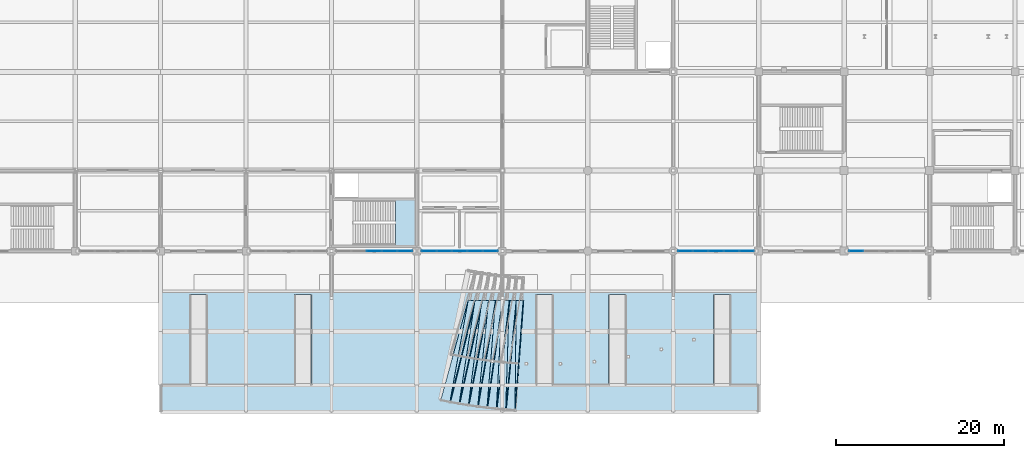
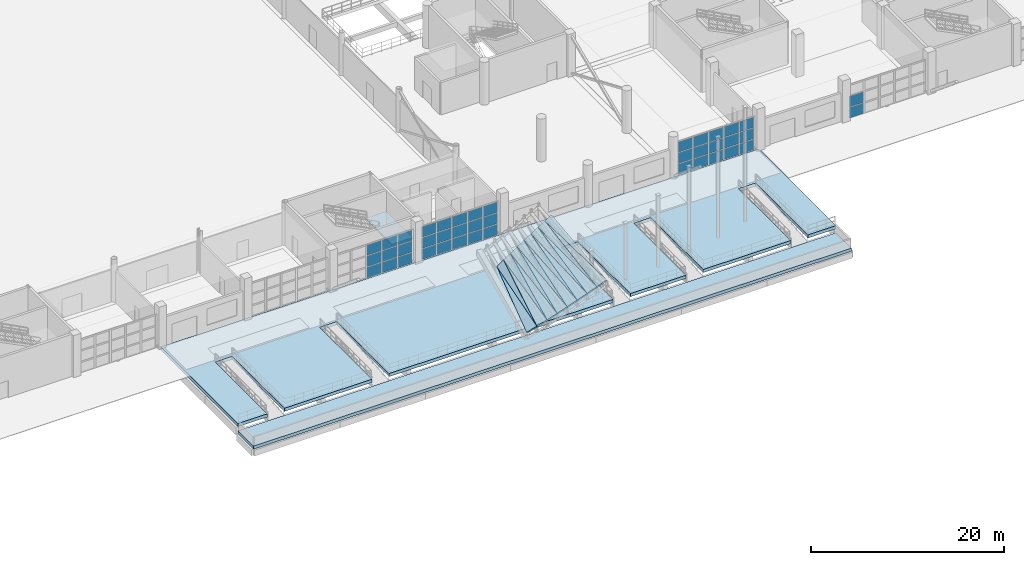
# One storey, part 77 of 124: 41 plates, 19 slabs, 5 elements without a shape of their own.
"""IFC4 building model written with IfcOpenShell, lengths in metres."""

from ifc_helpers import new_model, si_unit, direction, frame, origin, origin_2d, place, context, subcontext, project, spatial, polyline, rectangle, outline, extrude, material, layer, layer_set, type_object, element, aggregate, save


model = new_model("IFC4")

# Units and contexts
model_context = context("Model", 3, precision=1e-05, world=origin(), true_north=direction((0.0, 1.0)))
body_context = subcontext(model_context, "Body", "Model", "MODEL_VIEW")
ifc_project = project(units=[si_unit("LENGTHUNIT", "METRE"), si_unit("AREAUNIT", "SQUARE_METRE"), si_unit("VOLUMEUNIT", "CUBIC_METRE"), si_unit("PLANEANGLEUNIT", "RADIAN"), si_unit("MASSUNIT", "GRAM", prefix="KILO")], contexts=[model_context])

# Site, building, storey
site_placement = place(None, origin())
site = spatial("IfcSite", under=ifc_project, at=site_placement, CompositionType="ELEMENT")
building_placement = place(site_placement, origin())
building = spatial("IfcBuilding", under=site, at=building_placement, Name="Brelvane Convention Centre", CompositionType="ELEMENT")
storey_placement = place(building_placement, origin())
storey = spatial("IfcBuildingStorey", under=building, at=storey_placement, Name="L00", CompositionType="ELEMENT", Elevation=0.0)

# Curtain wall, plates
ifc_material_1 = material(Name="Anodised Aluminium Alloy 6063-T6", Category="aluminium")
curtain_wall_type = type_object("IfcCurtainWallType", Name="Curtain Wall CW-CONC", PredefinedType="USERDEFINED", material=ifc_material_1)
curtain_wall_1_placement = place(storey_placement, origin())
curtain_wall_1 = element("IfcCurtainWall", 1, at=curtain_wall_1_placement, inside=storey, type_object=curtain_wall_type, Name="Curtain Wall CW-CONC L00-V1S-13", ObjectType="UNITISED", PredefinedType="USERDEFINED")
ifc_material_2 = material(Name="Double Glazed Low-E Laminated Unit")
ifc_layer_1 = layer(ifc_material_2, 0.031982421875)
ifc_layer_set_1 = layer_set([ifc_layer_1], Name="Double Glazed Low-E Laminated Unit")
plate_type = type_object("IfcPlateType", Name="Curtain Panel CW-PG1", PredefinedType="CURTAIN_PANEL", material=ifc_layer_set_1)
plate_1_placement = place(storey_placement, frame((127.5, 19.199951171875, 0.080078125), z_axis=(0.0, 0.0, 1.0), x_axis=(1.0, 0.0, 0.0)))
plate_1 = element("IfcPlate", 2, at=plate_1_placement, type_object=plate_type, Name="CW-CONC panel 3.1", PredefinedType="CURTAIN_PANEL", context=body_context, shape_type="SweptSolid", body=[
    extrude(rectangle(XDim=1.760009765625, YDim=0.031982421875, at=origin_2d()), origin(), (0.0, 0.0, 1.0), 1.313232421875),
])
plate_2_placement = place(storey_placement, frame((127.5, 19.199951171875, 1.47314453125), z_axis=(0.0, 0.0, 1.0), x_axis=(1.0, 0.0, 0.0)))
plate_2 = element("IfcPlate", 3, at=plate_2_placement, type_object=plate_type, Name="CW-CONC panel 3.2", PredefinedType="CURTAIN_PANEL", context=body_context, shape_type="SweptSolid", body=[
    extrude(rectangle(XDim=1.760009765625, YDim=0.031982421875, at=origin_2d()), origin(), (0.0, 0.0, 1.0), 1.353515625),
])
plate_3_placement = place(storey_placement, frame((127.5, 19.199951171875, 2.90673828125), z_axis=(0.0, 0.0, 1.0), x_axis=(1.0, 0.0, 0.0)))
plate_3 = element("IfcPlate", 4, at=plate_3_placement, type_object=plate_type, Name="CW-CONC panel 3.3", PredefinedType="CURTAIN_PANEL", context=body_context, shape_type="SweptSolid", body=[
    extrude(rectangle(XDim=1.760009765625, YDim=0.031982421875, at=origin_2d()), origin(), (0.0, 0.0, 1.0), 1.313232421875),
])
plate_4_placement = place(storey_placement, frame((129.340087890625, 19.199951171875, 0.080078125), z_axis=(0.0, 0.0, 1.0), x_axis=(1.0, 0.0, 0.0)))
plate_4 = element("IfcPlate", 5, at=plate_4_placement, type_object=plate_type, Name="CW-CONC panel 4.1", PredefinedType="CURTAIN_PANEL", context=body_context, shape_type="SweptSolid", body=[
    extrude(rectangle(XDim=1.760009765625, YDim=0.031982421875, at=origin_2d()), origin(), (0.0, 0.0, 1.0), 1.313232421875),
])
plate_5_placement = place(storey_placement, frame((129.340087890625, 19.199951171875, 1.47314453125), z_axis=(0.0, 0.0, 1.0), x_axis=(1.0, 0.0, 0.0)))
plate_5 = element("IfcPlate", 6, at=plate_5_placement, type_object=plate_type, Name="CW-CONC panel 4.2", PredefinedType="CURTAIN_PANEL", context=body_context, shape_type="SweptSolid", body=[
    extrude(rectangle(XDim=1.760009765625, YDim=0.031982421875, at=origin_2d()), origin(), (0.0, 0.0, 1.0), 1.353515625),
])
plate_6_placement = place(storey_placement, frame((129.340087890625, 19.199951171875, 2.90673828125), z_axis=(0.0, 0.0, 1.0), x_axis=(1.0, 0.0, 0.0)))
plate_6 = element("IfcPlate", 7, at=plate_6_placement, type_object=plate_type, Name="CW-CONC panel 4.3", PredefinedType="CURTAIN_PANEL", context=body_context, shape_type="SweptSolid", body=[
    extrude(rectangle(XDim=1.760009765625, YDim=0.031982421875, at=origin_2d()), origin(), (0.0, 0.0, 1.0), 1.313232421875),
])
plate_7_placement = place(storey_placement, frame((131.159912109375, 19.199951171875, 0.080078125), z_axis=(0.0, 0.0, 1.0), x_axis=(1.0, 0.0, 0.0)))
plate_7 = element("IfcPlate", 8, at=plate_7_placement, type_object=plate_type, Name="CW-CONC panel 5.1", PredefinedType="CURTAIN_PANEL", context=body_context, shape_type="SweptSolid", body=[
    extrude(rectangle(XDim=1.719970703125, YDim=0.031982421875, at=origin_2d()), origin(), (0.0, 0.0, 1.0), 1.313232421875),
])
plate_8_placement = place(storey_placement, frame((131.159912109375, 19.199951171875, 1.47314453125), z_axis=(0.0, 0.0, 1.0), x_axis=(1.0, 0.0, 0.0)))
plate_8 = element("IfcPlate", 9, at=plate_8_placement, type_object=plate_type, Name="CW-CONC panel 5.2", PredefinedType="CURTAIN_PANEL", context=body_context, shape_type="SweptSolid", body=[
    extrude(rectangle(XDim=1.719970703125, YDim=0.031982421875, at=origin_2d()), origin(), (0.0, 0.0, 1.0), 1.353515625),
])
plate_9_placement = place(storey_placement, frame((131.159912109375, 19.199951171875, 2.90673828125), z_axis=(0.0, 0.0, 1.0), x_axis=(1.0, 0.0, 0.0)))
plate_9 = element("IfcPlate", 10, at=plate_9_placement, type_object=plate_type, Name="CW-CONC panel 5.3", PredefinedType="CURTAIN_PANEL", context=body_context, shape_type="SweptSolid", body=[
    extrude(rectangle(XDim=1.719970703125, YDim=0.031982421875, at=origin_2d()), origin(), (0.0, 0.0, 1.0), 1.313232421875),
])
aggregate(curtain_wall_1, [plate_1, plate_2, plate_3, plate_4, plate_5, plate_6, plate_7, plate_8, plate_9])

curtain_wall_2_placement = place(storey_placement, origin())
curtain_wall_2 = element("IfcCurtainWall", 11, at=curtain_wall_2_placement, inside=storey, type_object=curtain_wall_type, Name="Curtain Wall CW-CONC L00-V1S-14", ObjectType="UNITISED", PredefinedType="USERDEFINED")
plate_10_placement = place(storey_placement, frame((134.0400390625, 19.199951171875, 0.080078125), z_axis=(0.0, 0.0, 1.0), x_axis=(1.0, 0.0, 0.0)))
plate_10 = element("IfcPlate", 12, at=plate_10_placement, type_object=plate_type, Name="CW-CONC panel 1.1", PredefinedType="CURTAIN_PANEL", context=body_context, shape_type="SweptSolid", body=[
    extrude(rectangle(XDim=1.719970703125, YDim=0.031982421875, at=origin_2d()), origin(), (0.0, 0.0, 1.0), 1.313232421875),
])
plate_11_placement = place(storey_placement, frame((134.0400390625, 19.199951171875, 1.47314453125), z_axis=(0.0, 0.0, 1.0), x_axis=(1.0, 0.0, 0.0)))
plate_11 = element("IfcPlate", 13, at=plate_11_placement, type_object=plate_type, Name="CW-CONC panel 1.2", PredefinedType="CURTAIN_PANEL", context=body_context, shape_type="SweptSolid", body=[
    extrude(rectangle(XDim=1.719970703125, YDim=0.031982421875, at=origin_2d()), origin(), (0.0, 0.0, 1.0), 1.353515625),
])
plate_12_placement = place(storey_placement, frame((134.0400390625, 19.199951171875, 2.90673828125), z_axis=(0.0, 0.0, 1.0), x_axis=(1.0, 0.0, 0.0)))
plate_12 = element("IfcPlate", 14, at=plate_12_placement, type_object=plate_type, Name="CW-CONC panel 1.3", PredefinedType="CURTAIN_PANEL", context=body_context, shape_type="SweptSolid", body=[
    extrude(rectangle(XDim=1.719970703125, YDim=0.031982421875, at=origin_2d()), origin(), (0.0, 0.0, 1.0), 1.313232421875),
])
plate_13_placement = place(storey_placement, frame((135.860107421875, 19.199951171875, 0.080078125), z_axis=(0.0, 0.0, 1.0), x_axis=(1.0, 0.0, 0.0)))
plate_13 = element("IfcPlate", 15, at=plate_13_placement, type_object=plate_type, Name="CW-CONC panel 2.1", PredefinedType="CURTAIN_PANEL", context=body_context, shape_type="SweptSolid", body=[
    extrude(rectangle(XDim=1.760009765625, YDim=0.031982421875, at=origin_2d()), origin(), (0.0, 0.0, 1.0), 1.313232421875),
])
plate_14_placement = place(storey_placement, frame((135.860107421875, 19.199951171875, 1.47314453125), z_axis=(0.0, 0.0, 1.0), x_axis=(1.0, 0.0, 0.0)))
plate_14 = element("IfcPlate", 16, at=plate_14_placement, type_object=plate_type, Name="CW-CONC panel 2.2", PredefinedType="CURTAIN_PANEL", context=body_context, shape_type="SweptSolid", body=[
    extrude(rectangle(XDim=1.760009765625, YDim=0.031982421875, at=origin_2d()), origin(), (0.0, 0.0, 1.0), 1.353515625),
])
plate_15_placement = place(storey_placement, frame((135.860107421875, 19.199951171875, 2.90673828125), z_axis=(0.0, 0.0, 1.0), x_axis=(1.0, 0.0, 0.0)))
plate_15 = element("IfcPlate", 17, at=plate_15_placement, type_object=plate_type, Name="CW-CONC panel 2.3", PredefinedType="CURTAIN_PANEL", context=body_context, shape_type="SweptSolid", body=[
    extrude(rectangle(XDim=1.760009765625, YDim=0.031982421875, at=origin_2d()), origin(), (0.0, 0.0, 1.0), 1.313232421875),
])
plate_16_placement = place(storey_placement, frame((137.699951171875, 19.199951171875, 0.080078125), z_axis=(0.0, 0.0, 1.0), x_axis=(1.0, 0.0, 0.0)))
plate_16 = element("IfcPlate", 18, at=plate_16_placement, type_object=plate_type, Name="CW-CONC panel 3.1", PredefinedType="CURTAIN_PANEL", context=body_context, shape_type="SweptSolid", body=[
    extrude(rectangle(XDim=1.760009765625, YDim=0.031982421875, at=origin_2d()), origin(), (0.0, 0.0, 1.0), 1.313232421875),
])
plate_17_placement = place(storey_placement, frame((137.699951171875, 19.199951171875, 1.47314453125), z_axis=(0.0, 0.0, 1.0), x_axis=(1.0, 0.0, 0.0)))
plate_17 = element("IfcPlate", 19, at=plate_17_placement, type_object=plate_type, Name="CW-CONC panel 3.2", PredefinedType="CURTAIN_PANEL", context=body_context, shape_type="SweptSolid", body=[
    extrude(rectangle(XDim=1.760009765625, YDim=0.031982421875, at=origin_2d()), origin(), (0.0, 0.0, 1.0), 1.353515625),
])
plate_18_placement = place(storey_placement, frame((137.699951171875, 19.199951171875, 2.90673828125), z_axis=(0.0, 0.0, 1.0), x_axis=(1.0, 0.0, 0.0)))
plate_18 = element("IfcPlate", 20, at=plate_18_placement, type_object=plate_type, Name="CW-CONC panel 3.3", PredefinedType="CURTAIN_PANEL", context=body_context, shape_type="SweptSolid", body=[
    extrude(rectangle(XDim=1.760009765625, YDim=0.031982421875, at=origin_2d()), origin(), (0.0, 0.0, 1.0), 1.313232421875),
])
plate_19_placement = place(storey_placement, frame((139.5400390625, 19.199951171875, 0.080078125), z_axis=(0.0, 0.0, 1.0), x_axis=(1.0, 0.0, 0.0)))
plate_19 = element("IfcPlate", 21, at=plate_19_placement, type_object=plate_type, Name="CW-CONC panel 4.1", PredefinedType="CURTAIN_PANEL", context=body_context, shape_type="SweptSolid", body=[
    extrude(rectangle(XDim=1.760009765625, YDim=0.031982421875, at=origin_2d()), origin(), (0.0, 0.0, 1.0), 1.313232421875),
])
plate_20_placement = place(storey_placement, frame((139.5400390625, 19.199951171875, 1.47314453125), z_axis=(0.0, 0.0, 1.0), x_axis=(1.0, 0.0, 0.0)))
plate_20 = element("IfcPlate", 22, at=plate_20_placement, type_object=plate_type, Name="CW-CONC panel 4.2", PredefinedType="CURTAIN_PANEL", context=body_context, shape_type="SweptSolid", body=[
    extrude(rectangle(XDim=1.760009765625, YDim=0.031982421875, at=origin_2d()), origin(), (0.0, 0.0, 1.0), 1.353515625),
])
plate_21_placement = place(storey_placement, frame((139.5400390625, 19.199951171875, 2.90673828125), z_axis=(0.0, 0.0, 1.0), x_axis=(1.0, 0.0, 0.0)))
plate_21 = element("IfcPlate", 23, at=plate_21_placement, type_object=plate_type, Name="CW-CONC panel 4.3", PredefinedType="CURTAIN_PANEL", context=body_context, shape_type="SweptSolid", body=[
    extrude(rectangle(XDim=1.760009765625, YDim=0.031982421875, at=origin_2d()), origin(), (0.0, 0.0, 1.0), 1.313232421875),
])
plate_22_placement = place(storey_placement, frame((141.360107421875, 19.199951171875, 0.080078125), z_axis=(0.0, 0.0, 1.0), x_axis=(1.0, 0.0, 0.0)))
plate_22 = element("IfcPlate", 24, at=plate_22_placement, type_object=plate_type, Name="CW-CONC panel 5.1", PredefinedType="CURTAIN_PANEL", context=body_context, shape_type="SweptSolid", body=[
    extrude(rectangle(XDim=1.719970703125, YDim=0.031982421875, at=origin_2d()), origin(), (0.0, 0.0, 1.0), 1.313232421875),
])
plate_23_placement = place(storey_placement, frame((141.360107421875, 19.199951171875, 1.47314453125), z_axis=(0.0, 0.0, 1.0), x_axis=(1.0, 0.0, 0.0)))
plate_23 = element("IfcPlate", 25, at=plate_23_placement, type_object=plate_type, Name="CW-CONC panel 5.2", PredefinedType="CURTAIN_PANEL", context=body_context, shape_type="SweptSolid", body=[
    extrude(rectangle(XDim=1.719970703125, YDim=0.031982421875, at=origin_2d()), origin(), (0.0, 0.0, 1.0), 1.353515625),
])
plate_24_placement = place(storey_placement, frame((141.360107421875, 19.199951171875, 2.90673828125), z_axis=(0.0, 0.0, 1.0), x_axis=(1.0, 0.0, 0.0)))
plate_24 = element("IfcPlate", 26, at=plate_24_placement, type_object=plate_type, Name="CW-CONC panel 5.3", PredefinedType="CURTAIN_PANEL", context=body_context, shape_type="SweptSolid", body=[
    extrude(rectangle(XDim=1.719970703125, YDim=0.031982421875, at=origin_2d()), origin(), (0.0, 0.0, 1.0), 1.313232421875),
])
aggregate(curtain_wall_2, [plate_10, plate_11, plate_12, plate_13, plate_14, plate_15, plate_16, plate_17, plate_18, plate_19, plate_20, plate_21, plate_22, plate_23, plate_24])

curtain_wall_3_placement = place(storey_placement, origin())
curtain_wall_3 = element("IfcCurtainWall", 27, at=curtain_wall_3_placement, inside=storey, type_object=curtain_wall_type, Name="Curtain Wall CW-CONC L00-V1S-17", ObjectType="UNITISED", PredefinedType="USERDEFINED")
plate_25_placement = place(storey_placement, frame((164.639892578125, 19.199951171875, 0.080078125), z_axis=(0.0, 0.0, 1.0), x_axis=(1.0, 0.0, 0.0)))
plate_25 = element("IfcPlate", 28, at=plate_25_placement, type_object=plate_type, Name="CW-CONC panel 1.1", PredefinedType="CURTAIN_PANEL", context=body_context, shape_type="SweptSolid", body=[
    extrude(rectangle(XDim=1.719970703125, YDim=0.031982421875, at=origin_2d()), origin(), (0.0, 0.0, 1.0), 1.313232421875),
])
plate_26_placement = place(storey_placement, frame((164.639892578125, 19.199951171875, 1.47314453125), z_axis=(0.0, 0.0, 1.0), x_axis=(1.0, 0.0, 0.0)))
plate_26 = element("IfcPlate", 29, at=plate_26_placement, type_object=plate_type, Name="CW-CONC panel 1.2", PredefinedType="CURTAIN_PANEL", context=body_context, shape_type="SweptSolid", body=[
    extrude(rectangle(XDim=1.719970703125, YDim=0.031982421875, at=origin_2d()), origin(), (0.0, 0.0, 1.0), 1.353515625),
])
plate_27_placement = place(storey_placement, frame((164.639892578125, 19.199951171875, 2.90673828125), z_axis=(0.0, 0.0, 1.0), x_axis=(1.0, 0.0, 0.0)))
plate_27 = element("IfcPlate", 30, at=plate_27_placement, type_object=plate_type, Name="CW-CONC panel 1.3", PredefinedType="CURTAIN_PANEL", context=body_context, shape_type="SweptSolid", body=[
    extrude(rectangle(XDim=1.719970703125, YDim=0.031982421875, at=origin_2d()), origin(), (0.0, 0.0, 1.0), 1.313232421875),
])
plate_28_placement = place(storey_placement, frame((166.4599609375, 19.199951171875, 0.080078125), z_axis=(0.0, 0.0, 1.0), x_axis=(1.0, 0.0, 0.0)))
plate_28 = element("IfcPlate", 31, at=plate_28_placement, type_object=plate_type, Name="CW-CONC panel 2.1", PredefinedType="CURTAIN_PANEL", context=body_context, shape_type="SweptSolid", body=[
    extrude(rectangle(XDim=1.760009765625, YDim=0.031982421875, at=origin_2d()), origin(), (0.0, 0.0, 1.0), 1.313232421875),
])
plate_29_placement = place(storey_placement, frame((166.4599609375, 19.199951171875, 1.47314453125), z_axis=(0.0, 0.0, 1.0), x_axis=(1.0, 0.0, 0.0)))
plate_29 = element("IfcPlate", 32, at=plate_29_placement, type_object=plate_type, Name="CW-CONC panel 2.2", PredefinedType="CURTAIN_PANEL", context=body_context, shape_type="SweptSolid", body=[
    extrude(rectangle(XDim=1.760009765625, YDim=0.031982421875, at=origin_2d()), origin(), (0.0, 0.0, 1.0), 1.353515625),
])
plate_30_placement = place(storey_placement, frame((166.4599609375, 19.199951171875, 2.90673828125), z_axis=(0.0, 0.0, 1.0), x_axis=(1.0, 0.0, 0.0)))
plate_30 = element("IfcPlate", 33, at=plate_30_placement, type_object=plate_type, Name="CW-CONC panel 2.3", PredefinedType="CURTAIN_PANEL", context=body_context, shape_type="SweptSolid", body=[
    extrude(rectangle(XDim=1.760009765625, YDim=0.031982421875, at=origin_2d()), origin(), (0.0, 0.0, 1.0), 1.313232421875),
])
plate_31_placement = place(storey_placement, frame((168.300048828125, 19.199951171875, 0.080078125), z_axis=(0.0, 0.0, 1.0), x_axis=(1.0, 0.0, 0.0)))
plate_31 = element("IfcPlate", 34, at=plate_31_placement, type_object=plate_type, Name="CW-CONC panel 3.1", PredefinedType="CURTAIN_PANEL", context=body_context, shape_type="SweptSolid", body=[
    extrude(rectangle(XDim=1.760009765625, YDim=0.031982421875, at=origin_2d()), origin(), (0.0, 0.0, 1.0), 1.313232421875),
])
plate_32_placement = place(storey_placement, frame((168.300048828125, 19.199951171875, 1.47314453125), z_axis=(0.0, 0.0, 1.0), x_axis=(1.0, 0.0, 0.0)))
plate_32 = element("IfcPlate", 35, at=plate_32_placement, type_object=plate_type, Name="CW-CONC panel 3.2", PredefinedType="CURTAIN_PANEL", context=body_context, shape_type="SweptSolid", body=[
    extrude(rectangle(XDim=1.760009765625, YDim=0.031982421875, at=origin_2d()), origin(), (0.0, 0.0, 1.0), 1.353515625),
])
plate_33_placement = place(storey_placement, frame((168.300048828125, 19.199951171875, 2.90673828125), z_axis=(0.0, 0.0, 1.0), x_axis=(1.0, 0.0, 0.0)))
plate_33 = element("IfcPlate", 36, at=plate_33_placement, type_object=plate_type, Name="CW-CONC panel 3.3", PredefinedType="CURTAIN_PANEL", context=body_context, shape_type="SweptSolid", body=[
    extrude(rectangle(XDim=1.760009765625, YDim=0.031982421875, at=origin_2d()), origin(), (0.0, 0.0, 1.0), 1.313232421875),
])
plate_34_placement = place(storey_placement, frame((170.139892578125, 19.199951171875, 0.080078125), z_axis=(0.0, 0.0, 1.0), x_axis=(1.0, 0.0, 0.0)))
plate_34 = element("IfcPlate", 37, at=plate_34_placement, type_object=plate_type, Name="CW-CONC panel 4.1", PredefinedType="CURTAIN_PANEL", context=body_context, shape_type="SweptSolid", body=[
    extrude(rectangle(XDim=1.760009765625, YDim=0.031982421875, at=origin_2d()), origin(), (0.0, 0.0, 1.0), 1.313232421875),
])
plate_35_placement = place(storey_placement, frame((170.139892578125, 19.199951171875, 1.47314453125), z_axis=(0.0, 0.0, 1.0), x_axis=(1.0, 0.0, 0.0)))
plate_35 = element("IfcPlate", 38, at=plate_35_placement, type_object=plate_type, Name="CW-CONC panel 4.2", PredefinedType="CURTAIN_PANEL", context=body_context, shape_type="SweptSolid", body=[
    extrude(rectangle(XDim=1.760009765625, YDim=0.031982421875, at=origin_2d()), origin(), (0.0, 0.0, 1.0), 1.353515625),
])
plate_36_placement = place(storey_placement, frame((170.139892578125, 19.199951171875, 2.90673828125), z_axis=(0.0, 0.0, 1.0), x_axis=(1.0, 0.0, 0.0)))
plate_36 = element("IfcPlate", 39, at=plate_36_placement, type_object=plate_type, Name="CW-CONC panel 4.3", PredefinedType="CURTAIN_PANEL", context=body_context, shape_type="SweptSolid", body=[
    extrude(rectangle(XDim=1.760009765625, YDim=0.031982421875, at=origin_2d()), origin(), (0.0, 0.0, 1.0), 1.313232421875),
])
plate_37_placement = place(storey_placement, frame((171.9599609375, 19.199951171875, 0.080078125), z_axis=(0.0, 0.0, 1.0), x_axis=(1.0, 0.0, 0.0)))
plate_37 = element("IfcPlate", 40, at=plate_37_placement, type_object=plate_type, Name="CW-CONC panel 5.1", PredefinedType="CURTAIN_PANEL", context=body_context, shape_type="SweptSolid", body=[
    extrude(rectangle(XDim=1.719970703125, YDim=0.031982421875, at=origin_2d()), origin(), (0.0, 0.0, 1.0), 1.313232421875),
])
plate_38_placement = place(storey_placement, frame((171.9599609375, 19.199951171875, 1.47314453125), z_axis=(0.0, 0.0, 1.0), x_axis=(1.0, 0.0, 0.0)))
plate_38 = element("IfcPlate", 41, at=plate_38_placement, type_object=plate_type, Name="CW-CONC panel 5.2", PredefinedType="CURTAIN_PANEL", context=body_context, shape_type="SweptSolid", body=[
    extrude(rectangle(XDim=1.719970703125, YDim=0.031982421875, at=origin_2d()), origin(), (0.0, 0.0, 1.0), 1.353515625),
])
plate_39_placement = place(storey_placement, frame((171.9599609375, 19.199951171875, 2.90673828125), z_axis=(0.0, 0.0, 1.0), x_axis=(1.0, 0.0, 0.0)))
plate_39 = element("IfcPlate", 42, at=plate_39_placement, type_object=plate_type, Name="CW-CONC panel 5.3", PredefinedType="CURTAIN_PANEL", context=body_context, shape_type="SweptSolid", body=[
    extrude(rectangle(XDim=1.719970703125, YDim=0.031982421875, at=origin_2d()), origin(), (0.0, 0.0, 1.0), 1.313232421875),
])
aggregate(curtain_wall_3, [plate_25, plate_26, plate_27, plate_28, plate_29, plate_30, plate_31, plate_32, plate_33, plate_34, plate_35, plate_36, plate_37, plate_38, plate_39])

curtain_wall_4_placement = place(storey_placement, origin())
curtain_wall_4 = element("IfcCurtainWall", 43, at=curtain_wall_4_placement, inside=storey, type_object=curtain_wall_type, Name="Curtain Wall CW-CONC L00-V1S-19", ObjectType="UNITISED", PredefinedType="USERDEFINED")
plate_40_placement = place(storey_placement, frame((185.0400390625, 19.199951171875, 0.080078125), z_axis=(0.0, 0.0, 1.0), x_axis=(1.0, 0.0, 0.0)))
plate_40 = element("IfcPlate", 44, at=plate_40_placement, type_object=plate_type, Name="CW-CONC panel 1.1", PredefinedType="CURTAIN_PANEL", context=body_context, shape_type="SweptSolid", body=[
    extrude(rectangle(XDim=1.719970703125, YDim=0.031982421875, at=origin_2d()), origin(), (0.0, 0.0, 1.0), 1.313232421875),
])
plate_41_placement = place(storey_placement, frame((185.0400390625, 19.199951171875, 1.47314453125), z_axis=(0.0, 0.0, 1.0), x_axis=(1.0, 0.0, 0.0)))
plate_41 = element("IfcPlate", 45, at=plate_41_placement, type_object=plate_type, Name="CW-CONC panel 1.2", PredefinedType="CURTAIN_PANEL", context=body_context, shape_type="SweptSolid", body=[
    extrude(rectangle(XDim=1.719970703125, YDim=0.031982421875, at=origin_2d()), origin(), (0.0, 0.0, 1.0), 1.353515625),
])
aggregate(curtain_wall_4, [plate_40, plate_41])

# Stair, slab
ifc_material_3 = material(Name="Concrete M40", Category="concrete")
stair_type = type_object("IfcStairType", Name="Exit Stair ST-CORE", PredefinedType="HALF_TURN_STAIR", material=ifc_material_3)
stair_placement = place(storey_placement, origin())
stair = element("IfcStair", 46, at=stair_placement, inside=storey, type_object=stair_type, Name="Exit Stair ST-02 (L00 to L01)", PredefinedType="HALF_TURN_STAIR")
ifc_material_4 = material(Name="Concrete M40", Category="concrete")
ifc_layer_2 = layer(ifc_material_4, 0.199951171875)
ifc_layer_set_2 = layer_set([ifc_layer_2], Name="Concrete M40")
slab_type_1 = type_object("IfcSlabType", Name="Stair Landing SL-LND-200", PredefinedType="LANDING", material=ifc_layer_set_2)
slab_1_placement = place(storey_placement, frame((0.0, 0.0, 2.5)))
slab_1 = element("IfcSlab", 47, at=slab_1_placement, type_object=slab_type_1, Name="Stair ST-02 L00 Half Landing", PredefinedType="LANDING", context=body_context, shape_type="SweptSolid", body=[
    extrude(outline(polyline([(130.02001953125, 19.8798828125), (132.52001953125, 19.8798828125), (132.52001953125, 25.320068359375), (130.02001953125, 25.320068359375), (130.02001953125, 19.8798828125)])), origin(), (0.0, 0.0, 1.0), 0.199951171875),
])
aggregate(stair, [slab_1])

# Slabs
ifc_material_5 = material(Name="Concrete M40", Category="concrete")
ifc_layer_3 = layer(ifc_material_5, 0.39990234375)
ifc_layer_set_3 = layer_set([ifc_layer_3], Name="Concrete M40")
slab_type_2 = type_object("IfcSlabType", Name="Structural Slab SL-PLINTH-400", PredefinedType="BASESLAB", material=ifc_layer_set_3)
slab_2_placement = place(storey_placement, frame((0.0, 0.0, -0.39990234375)))
element("IfcSlab", 48, at=slab_2_placement, inside=storey, type_object=slab_type_2, Name="L00 ArrivalPlaza Slab PLAZA-C", PredefinedType="BASESLAB", context=body_context, shape_type="SweptSolid", body=[
    extrude(outline(polyline([(102.0, 3.199951171875), (105.5, 3.199951171875), (105.5, 14.0), (107.5400390625, 14.0), (107.5400390625, 3.199951171875), (118.0, 3.199951171875), (118.0, 14.0), (120.0400390625, 14.0), (120.0400390625, 3.199951171875), (146.800048828125, 3.199951171875), (146.800048828125, 14.0), (148.840087890625, 14.0), (148.840087890625, 3.199951171875), (155.5, 3.199951171875), (155.5, 14.0), (157.5400390625, 14.0), (157.5400390625, 3.199951171875), (168.0, 3.199951171875), (168.0, 14.0), (170.0400390625, 14.0), (170.0400390625, 3.199951171875), (173.39990234375, 3.199951171875), (173.39990234375, 19.199951171875), (102.0, 19.199951171875), (102.0, 3.199951171875)])), origin(), (0.0, 0.0, 1.0), 0.39990234375),
])
slab_3_placement = place(storey_placement, frame((0.0, 0.0, -1.300048828125)))
element("IfcSlab", 49, at=slab_3_placement, inside=storey, type_object=slab_type_2, Name="L00 Plaza Lower Boulevard Promenade", PredefinedType="BASESLAB", context=body_context, shape_type="SweptSolid", body=[
    extrude(outline(polyline([(102.0, 0.0), (173.39990234375, 0.0), (173.39990234375, 3.199951171875), (102.0, 3.199951171875), (102.0, 0.0)])), origin(), (0.0, 0.0, 1.0), 0.400146484375),
])
ifc_material_6 = material(Name="Steel E350 (350 MPa)", Category="steel")
ifc_layer_4 = layer(ifc_material_6, 0.159912109375)
ifc_layer_set_4 = layer_set([ifc_layer_4], Name="Steel E350 (350 MPa)")
slab_type_3 = type_object("IfcSlabType", Name="Structural Slab SL-ROOF-CN-160", PredefinedType="ROOF", material=ifc_layer_set_4)
slab_4_placement = place(storey_placement, frame((145.27099609375, 13.305419921875, 5.117431640625), z_axis=(-0.531422317351, 0.039012893173, 0.846208198251), x_axis=(-0.073096970237, -0.997324835432, 7.4645872e-05)))
element("IfcSlab", 50, at=slab_4_placement, inside=storey, type_object=slab_type_3, Name="Boulevard Sweeping Canopy Roof Panel 24A", PredefinedType="ROOF", context=body_context, shape_type="SweptSolid", body=[
    extrude(outline(polyline([(0.0, 0.0), (13.08260554468089, -9.324138683375338e-18), (0.05988204027767718, -0.9621797385911651), (0.0, 0.0)])), origin(), (0.0, 0.0, -1.0), 0.159912109375),
])
slab_5_placement = place(storey_placement, frame((144.309326171875, 0.25732421875, 5.11572265625), z_axis=(-0.417970867595, 0.040209438823, 0.907570137715), x_axis=(-0.905349573885, 0.064168075341, -0.419791147087)))
element("IfcSlab", 51, at=slab_5_placement, inside=storey, type_object=slab_type_3, Name="Boulevard Sweeping Canopy Roof Panel 24B", PredefinedType="ROOF", context=body_context, shape_type="SweptSolid", body=[
    extrude(outline(polyline([(0.0, 0.0), (1.2213104446274368, -6.071532165918825e-18), (0.9256941884372184, -13.025852582101166), (0.0, 0.0)])), origin(), (0.0, 0.0, -1.0), 0.159912109375),
])
slab_6_placement = place(storey_placement, frame((144.445068359375, 13.3056640625, 4.599609375), z_axis=(-0.534845512733, 0.051465206722, 0.8433810586), x_axis=(-0.095694197325, -0.995410778241, 5.6213548e-05)))
element("IfcSlab", 52, at=slab_6_placement, inside=storey, type_object=slab_type_3, Name="Boulevard Sweeping Canopy Roof Panel 25A", PredefinedType="ROOF", context=body_context, shape_type="SweptSolid", body=[
    extrude(outline(polyline([(0.0, 0.0), (13.029276661835025, 9.600610237359142e-17), (0.07848886238407088, -0.9623654288605656), (0.0, 0.0)])), origin(), (0.0, 0.0, -1.0), 0.159912109375),
])
slab_7_placement = place(storey_placement, frame((143.193115234375, 0.336181640625, 4.59765625), z_axis=(-0.419703104783, 0.050162130478, 0.906274276641), x_axis=(-0.902752439727, 0.080634973613, -0.422535245391)))
element("IfcSlab", 53, at=slab_7_placement, inside=storey, type_object=slab_type_3, Name="Boulevard Sweeping Canopy Roof Panel 25B", PredefinedType="ROOF", context=body_context, shape_type="SweptSolid", body=[
    extrude(outline(polyline([(0.0, 0.0), (1.2232013986125458, -4.336808689942018e-18), (0.8746676325367891, -12.95702241650118), (0.0, 0.0)])), origin(), (0.0, 0.0, -1.0), 0.159912109375),
])
slab_8_placement = place(storey_placement, frame((143.620361328125, 13.305908203125, 4.0771484375), z_axis=(-0.538378759785, 0.064326055105, 0.840244291648), x_axis=(-0.118550278305, -0.992948049155, 5.6506329e-05)))
element("IfcSlab", 54, at=slab_8_placement, inside=storey, type_object=slab_type_3, Name="Boulevard Sweeping Canopy Roof Panel 26A", PredefinedType="ROOF", context=body_context, shape_type="SweptSolid", body=[
    extrude(outline(polyline([(0.0, 0.0), (12.961767072382328, -1.8106176280507924e-17), (0.09719354846096444, -0.9617893068699983), (0.0, 0.0)])), origin(), (0.0, 0.0, -1.0), 0.159912109375),
])
slab_9_placement = place(storey_placement, frame((142.07861328125, 0.435546875, 4.0751953125), z_axis=(-0.421525660421, 0.060392146575, 0.904803241727), x_axis=(-0.899661879802, 0.097239202069, -0.425620769714)))
element("IfcSlab", 55, at=slab_9_placement, inside=storey, type_object=slab_type_3, Name="Boulevard Sweeping Canopy Roof Panel 26B", PredefinedType="ROOF", context=body_context, shape_type="SweptSolid", body=[
    extrude(outline(polyline([(0.0, 0.0), (1.2252324419006966, 3.469446951953614e-18), (0.8233328364773426, -12.874189938891998), (0.0, 0.0)])), origin(), (0.0, 0.0, -1.0), 0.159912109375),
])
slab_10_placement = place(storey_placement, frame((142.797119140625, 13.305908203125, 3.55029296875), z_axis=(-0.541879411635, 0.077649147044, 0.836861585454), x_axis=(-0.141761013061, -0.989900910163, 5.6863623e-05)))
element("IfcSlab", 56, at=slab_10_placement, inside=storey, type_object=slab_type_3, Name="Boulevard Sweeping Canopy Roof Panel 27A", PredefinedType="ROOF", context=body_context, shape_type="SweptSolid", body=[
    extrude(outline(polyline([(0.0, 0.0), (12.880323686660354, 1.9873425821659296e-16), (0.1158413351903835, -0.9606713936777906), (0.0, 0.0)])), origin(), (0.0, 0.0, -1.0), 0.159912109375),
])
slab_11_placement = place(storey_placement, frame((140.9658203125, 0.555908203125, 3.54833984375), z_axis=(-0.423015571816, 0.070977951515, 0.903338229236), x_axis=(-0.896298033446, 0.113629257793, -0.428646972478)))
element("IfcSlab", 57, at=slab_11_placement, inside=storey, type_object=slab_type_3, Name="Boulevard Sweeping Canopy Roof Panel 27B", PredefinedType="ROOF", context=body_context, shape_type="SweptSolid", body=[
    extrude(outline(polyline([(0.0, 0.0), (1.2268345282122608, -1.0408340855860843e-17), (0.7655628017860401, -12.7777173302019), (0.0, 0.0)])), origin(), (0.0, 0.0, -1.0), 0.159912109375),
])
slab_12_placement = place(storey_placement, frame((141.975341796875, 13.30615234375, 3.018798828125), z_axis=(-0.545590372483, 0.091542009198, 0.833037337702), x_axis=(-0.16535879714, -0.986233472548, 7.6378197e-05)))
element("IfcSlab", 58, at=slab_12_placement, inside=storey, type_object=slab_type_3, Name="Boulevard Sweeping Canopy Roof Panel 28A", PredefinedType="ROOF", context=body_context, shape_type="SweptSolid", body=[
    extrude(outline(polyline([(0.0, 0.0), (12.78588045553409, -5.908901840045999e-17), (0.13483256117145676, -0.958546034956314), (0.0, 0.0)])), origin(), (0.0, 0.0, -1.0), 0.159912109375),
])
slab_13_placement = place(storey_placement, frame((139.855712890625, 0.696533203125, 3.016845703125), z_axis=(-0.424082071959, 0.081889847016, 0.901913770378), x_axis=(-0.892685924986, 0.129939148663, -0.431541025833)))
element("IfcSlab", 59, at=slab_13_placement, inside=storey, type_object=slab_type_3, Name="Boulevard Sweeping Canopy Roof Panel 28B", PredefinedType="ROOF", context=body_context, shape_type="SweptSolid", body=[
    extrude(outline(polyline([(0.0, 0.0), (1.228790325267587, 5.724587470723463e-17), (0.7027500671358899, -12.667882213638352), (0.0, 0.0)])), origin(), (0.0, 0.0, -1.0), 0.159912109375),
])
slab_14_placement = place(storey_placement, frame((141.156005859375, 13.306396484375, 2.48291015625), z_axis=(-0.549001100958, 0.105992391891, 0.829073823015), x_axis=(-0.189479424772, -0.981884689895, 5.7768117e-05)))
element("IfcSlab", 60, at=slab_14_placement, inside=storey, type_object=slab_type_3, Name="Boulevard Sweeping Canopy Roof Panel 29A", PredefinedType="ROOF", context=body_context, shape_type="SweptSolid", body=[
    extrude(outline(polyline([(0.0, 0.0), (12.678652328006686, -5.2692225582795515e-17), (0.15395482512934222, -0.9562500843641122), (0.0, 0.0)])), origin(), (0.0, 0.0, -1.0), 0.159912109375),
])
slab_15_placement = place(storey_placement, frame((138.748291015625, 0.85791015625, 2.48095703125), z_axis=(-0.424922564273, 0.093201334877, 0.900418972229), x_axis=(-0.888706045196, 0.146232720542, -0.434531421965)))
element("IfcSlab", 61, at=slab_15_placement, inside=storey, type_object=slab_type_3, Name="Boulevard Sweeping Canopy Roof Panel 29B", PredefinedType="ROOF", context=body_context, shape_type="SweptSolid", body=[
    extrude(outline(polyline([(0.0, 0.0), (1.2304471937440924, 0.0), (0.6353462231580236, -12.54490087441345), (0.0, 0.0)])), origin(), (0.0, 0.0, -1.0), 0.159912109375),
])
slab_16_placement = place(storey_placement, frame((140.3388671875, 13.306884765625, 1.9423828125), z_axis=(-0.552381423675, 0.121152268578, 0.824740498944), x_axis=(-0.214124124219, -0.97680645646, 7.7757285e-05)))
element("IfcSlab", 62, at=slab_16_placement, inside=storey, type_object=slab_type_3, Name="Boulevard Sweeping Canopy Roof Panel 30A", PredefinedType="ROOF", context=body_context, shape_type="SweptSolid", body=[
    extrude(outline(polyline([(0.0, 0.0), (12.559112590317918, -1.3314002678121994e-16), (0.1737965117989807, -0.9532540772907906), (0.0, 0.0)])), origin(), (0.0, 0.0, -1.0), 0.159912109375),
])
slab_17_placement = place(storey_placement, frame((137.644287109375, 1.03955078125, 1.9404296875), z_axis=(-0.425355111873, 0.104924772328, 0.898923701409), x_axis=(-0.884438074777, 0.16246398327, -0.437463993976)))
element("IfcSlab", 63, at=slab_17_placement, inside=storey, type_object=slab_type_3, Name="Boulevard Sweeping Canopy Roof Panel 30B", PredefinedType="ROOF", context=body_context, shape_type="SweptSolid", body=[
    extrude(outline(polyline([(0.0, 0.0), (1.2322442702107748, -1.214306433183765e-17), (0.5623463786384831, -12.40928500622485), (0.0, 0.0)])), origin(), (0.0, 0.0, -1.0), 0.159912109375),
])
slab_18_placement = place(storey_placement, frame((139.5244140625, 13.30712890625, 1.3974609375), z_axis=(-0.555752467159, 0.137098446568, 0.819965371949), x_axis=(-0.239400320296, -0.970920944499, 7.8582084e-05)))
element("IfcSlab", 64, at=slab_18_placement, inside=storey, type_object=slab_type_3, Name="Boulevard Sweeping Canopy Roof Panel 31A", PredefinedType="ROOF", context=body_context, shape_type="SweptSolid", body=[
    extrude(outline(polyline([(0.0, 0.0), (12.427291879025885, 2.347297703431117e-16), (0.19367455453710242, -0.949440586505889), (0.0, 0.0)])), origin(), (0.0, 0.0, -1.0), 0.159912109375),
])
slab_19_placement = place(storey_placement, frame((136.543701171875, 1.241943359375, 1.3955078125), z_axis=(-0.425454041328, 0.11714093796, 0.897366624837), x_axis=(-0.879901072722, 0.178275436592, -0.440445196285)))
element("IfcSlab", 65, at=slab_19_placement, inside=storey, type_object=slab_type_3, Name="Boulevard Sweeping Canopy Roof Panel 31B", PredefinedType="ROOF", context=body_context, shape_type="SweptSolid", body=[
    extrude(outline(polyline([(0.0, 0.0), (1.2338811634996878, -8.673617379884035e-18), (0.4782212249791986, -12.26116865935253), (0.0, 0.0)])), origin(), (0.0, 0.0, -1.0), 0.159912109375),
])

save(model, "model.ifc")
